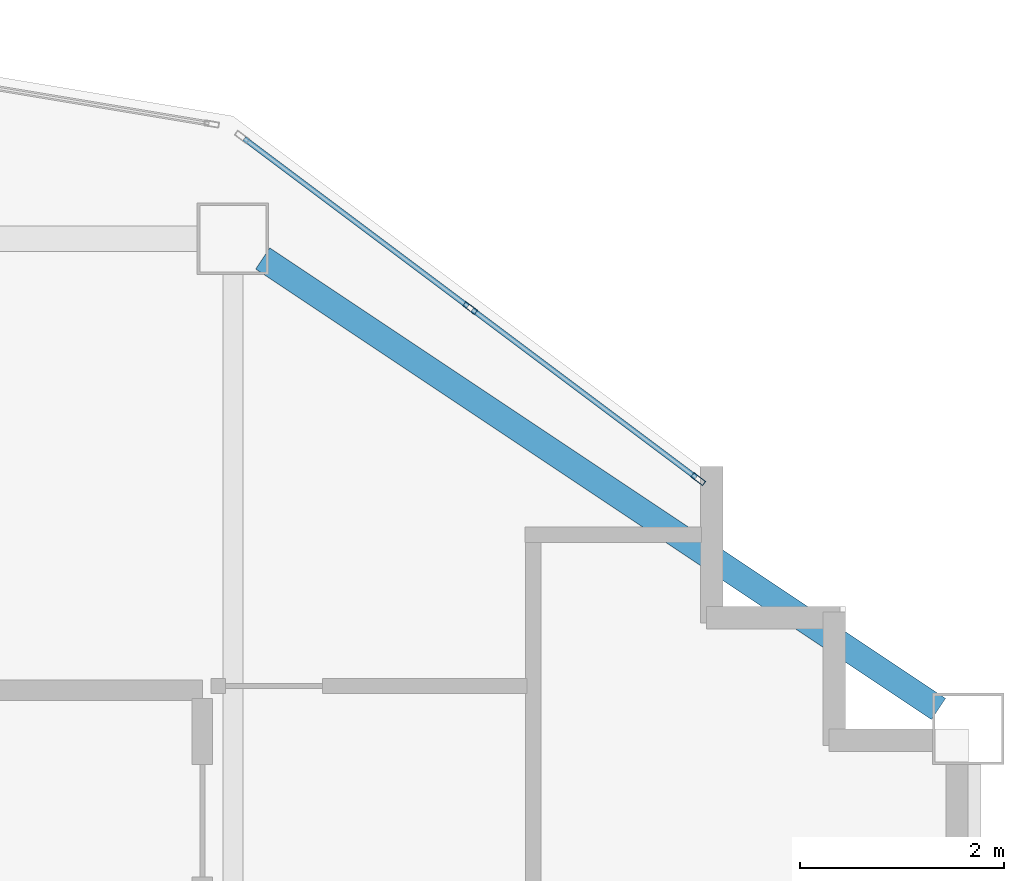
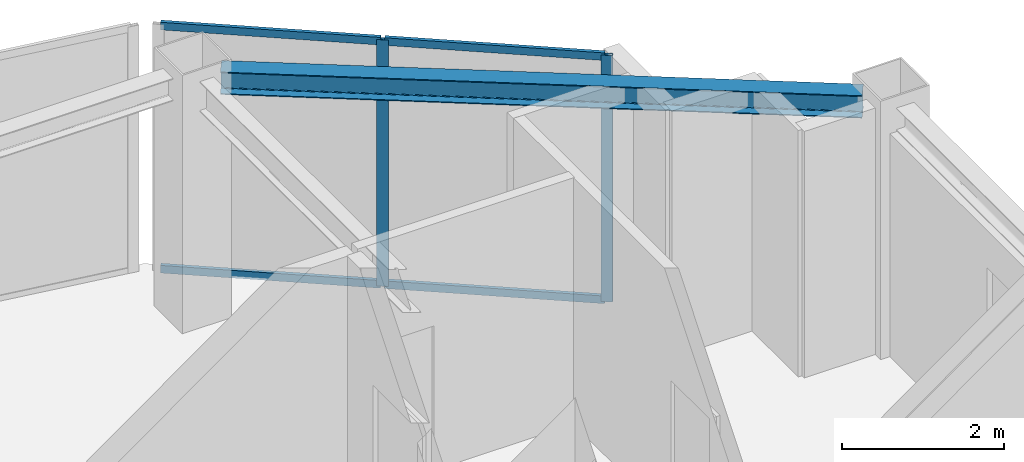
# One storey, part 2 of 8: 6 members, 1 beam, 1 element without a shape of its own.
"""IFC4 building model written with IfcOpenShell, lengths in metres."""

from ifc_helpers import new_model, si_unit, direction, frame, origin, origin_2d, place, context, subcontext, project, spatial, hollow_rectangle, i_section, extrude, material, layer, layer_set, material_profile, profile_set, type_object, element, aggregate, save


model = new_model("IFC4")

# Units and contexts
model_context = context("Model", 3, precision=1e-05, world=origin(), true_north=direction((0.0, 1.0)))
body_context = subcontext(model_context, "Body", "Model", "MODEL_VIEW")
ifc_project = project(units=[si_unit("LENGTHUNIT", "METRE"), si_unit("AREAUNIT", "SQUARE_METRE"), si_unit("VOLUMEUNIT", "CUBIC_METRE"), si_unit("PLANEANGLEUNIT", "RADIAN"), si_unit("MASSUNIT", "GRAM", prefix="KILO")], contexts=[model_context])

# Site, building, storey
site_placement = place(None, origin())
site = spatial("IfcSite", under=ifc_project, at=site_placement, CompositionType="ELEMENT")
building_placement = place(site_placement, origin())
building = spatial("IfcBuilding", under=site, at=building_placement, Name="Haolan Belvedere Tower", CompositionType="ELEMENT")
storey_placement = place(building_placement, frame((0.0, 0.0, 297.800048828125)))
storey = spatial("IfcBuildingStorey", under=building, at=storey_placement, Name="L75", CompositionType="ELEMENT", Elevation=297.800048828125)

# Beam
ifc_material_1 = material(Name="Steel Q355B", Category="steel")
ifc_material_profile_1 = material_profile(ifc_material_1, i_section(OverallWidth=0.25, OverallDepth=0.340087890625, WebThickness=0.009033203125, FlangeThickness=0.013916015625, FilletRadius=0.02001953125, at=origin_2d()), Name="Steel Q355B")
ifc_profile_set_1 = profile_set([ifc_material_profile_1], Name="Steel Q355B")
beam_type = type_object("IfcBeamType", Name="BM-HM340x250x9x14", PredefinedType="SPANDREL", material=ifc_profile_set_1)
beam_placement = place(storey_placement, frame((45.89111328125, 50.205810546875, 3.550048828125), z_axis=(0.832059739299, -0.554686028522, 0.0), x_axis=(0.554686028522, 0.832059739299, 0.0)))
element("IfcBeam", 1, at=beam_placement, inside=storey, type_object=beam_type, Name="L75 spandrel girder MC-T3-N2-MC-T3-NE", PredefinedType="SPANDREL", context=body_context, shape_type="SweptSolid", body=[
    extrude(i_section(OverallWidth=0.25, OverallDepth=0.340087890625, WebThickness=0.009033203125, FlangeThickness=0.013916015625, FilletRadius=0.02001953125, at=origin_2d()), origin(), (0.0, 0.0, 1.0), 7.953369140625),
])

# Curtain wall, members
ifc_material_2 = material(Name="Anodised champagne-silver aluminium 6063-T6 and Low-E glass", Category="aluminium")
ifc_layer = layer(ifc_material_2, 0.14501953125, Name="Anodised champagne-silver aluminium 6063-T6 and Low-E glass")
ifc_layer_set = layer_set([ifc_layer], Name="Anodised champagne-silver aluminium 6063-T6 and Low-E glass")
curtain_wall_type = type_object("IfcCurtainWallType", Name="CW-SYS-05", PredefinedType="NOTDEFINED", material=ifc_layer_set)
curtain_wall_placement = place(storey_placement, origin())
curtain_wall = element("IfcCurtainWall", 2, at=curtain_wall_placement, inside=storey, type_object=curtain_wall_type, Name="L75 CW-SYS-05 ribbon curtain wall 8.1", PredefinedType="NOTDEFINED")
ifc_material_3 = material(Name="Anodised aluminium 6063-T6", Category="aluminium")
ifc_material_profile_2 = material_profile(ifc_material_3, hollow_rectangle(XDim=0.053955078125, YDim=0.14501953125, WallThickness=0.00390625, at=origin_2d()), Name="Anodised aluminium 6063-T6")
ifc_profile_set_2 = profile_set([ifc_material_profile_2], Name="Anodised aluminium 6063-T6")
member_type_1 = type_object("IfcMemberType", Name="CW-SYS-05-MUL", PredefinedType="MULLION", material=ifc_profile_set_2)
member_1_placement = place(storey_placement, frame((50.156494140625, 48.045166015625, 0.0), z_axis=(0.0, 0.0, 1.0), x_axis=(-0.600002837806, -0.799997871638, 0.0)))
member_1 = element("IfcMember", 3, at=member_1_placement, type_object=member_type_1, Name="CW-05 mullion 1", PredefinedType="MULLION", context=body_context, shape_type="SweptSolid", body=[
    extrude(hollow_rectangle(XDim=0.053955078125, YDim=0.14501953125, WallThickness=0.00390625, at=origin_2d()), origin(), (0.0, 0.0, 1.0), 3.719970703125),
])
member_2_placement = place(storey_placement, frame((47.9228515625, 49.720458984375, 0.0), z_axis=(0.0, 0.0, 1.0), x_axis=(-0.600002837806, -0.799997871638, 0.0)))
member_2 = element("IfcMember", 4, at=member_2_placement, type_object=member_type_1, Name="CW-05 mullion 2", PredefinedType="MULLION", context=body_context, shape_type="SweptSolid", body=[
    extrude(hollow_rectangle(XDim=0.053955078125, YDim=0.14501953125, WallThickness=0.00390625, at=origin_2d()), origin(), (0.0, 0.0, 1.0), 3.719970703125),
])
ifc_material_profile_3 = material_profile(ifc_material_3, hollow_rectangle(XDim=0.050048828125, YDim=0.114990234375, WallThickness=0.00390625, at=origin_2d()), Name="Anodised aluminium 6063-T6")
ifc_profile_set_3 = profile_set([ifc_material_profile_3], Name="Anodised aluminium 6063-T6")
member_type_2 = type_object("IfcMemberType", Name="CW-SYS-05-TRN", PredefinedType="USERDEFINED", material=ifc_profile_set_3)
member_3_placement = place(storey_placement, frame((50.134765625, 48.061279296875, 0.02490234375), z_axis=(-0.799957200433, 0.60005706185, 0.0), x_axis=(-0.60005706185, -0.799957200433, 0.0)))
member_3 = element("IfcMember", 5, at=member_3_placement, type_object=member_type_2, Name="CW-05 transom 1.1", ObjectType="TRANSOM", PredefinedType="USERDEFINED", context=body_context, shape_type="SweptSolid", body=[
    extrude(hollow_rectangle(XDim=0.050048828125, YDim=0.114990234375, WallThickness=0.00390625, at=origin_2d()), origin(), (0.0, 0.0, 1.0), 2.73828125),
])
member_4_placement = place(storey_placement, frame((50.134765625, 48.061279296875, 3.695068359375), z_axis=(-0.799957200433, 0.60005706185, 0.0), x_axis=(-0.60005706185, -0.799957200433, 0.0)))
member_4 = element("IfcMember", 6, at=member_4_placement, type_object=member_type_2, Name="CW-05 transom 1.2", ObjectType="TRANSOM", PredefinedType="USERDEFINED", context=body_context, shape_type="SweptSolid", body=[
    extrude(hollow_rectangle(XDim=0.050048828125, YDim=0.114990234375, WallThickness=0.00390625, at=origin_2d()), origin(), (0.0, 0.0, 1.0), 2.73828125),
])
member_5_placement = place(storey_placement, frame((47.901123046875, 49.736572265625, 0.02490234375), z_axis=(-0.8, 0.6, 0.0), x_axis=(-0.6, -0.8, 0.0)))
member_5 = element("IfcMember", 7, at=member_5_placement, type_object=member_type_2, Name="CW-05 transom 2.1", ObjectType="TRANSOM", PredefinedType="USERDEFINED", context=body_context, shape_type="SweptSolid", body=[
    extrude(hollow_rectangle(XDim=0.050048828125, YDim=0.114990234375, WallThickness=0.00390625, at=origin_2d()), origin(), (0.0, 0.0, 1.0), 2.738037109375),
])
member_6_placement = place(storey_placement, frame((47.901123046875, 49.736572265625, 3.695068359375), z_axis=(-0.8, 0.6, 0.0), x_axis=(-0.6, -0.8, 0.0)))
member_6 = element("IfcMember", 8, at=member_6_placement, type_object=member_type_2, Name="CW-05 transom 2.2", ObjectType="TRANSOM", PredefinedType="USERDEFINED", context=body_context, shape_type="SweptSolid", body=[
    extrude(hollow_rectangle(XDim=0.050048828125, YDim=0.114990234375, WallThickness=0.00390625, at=origin_2d()), origin(), (0.0, 0.0, 1.0), 2.738037109375),
])
aggregate(curtain_wall, [member_1, member_2, member_3, member_4, member_5, member_6])

save(model, "model.ifc")
